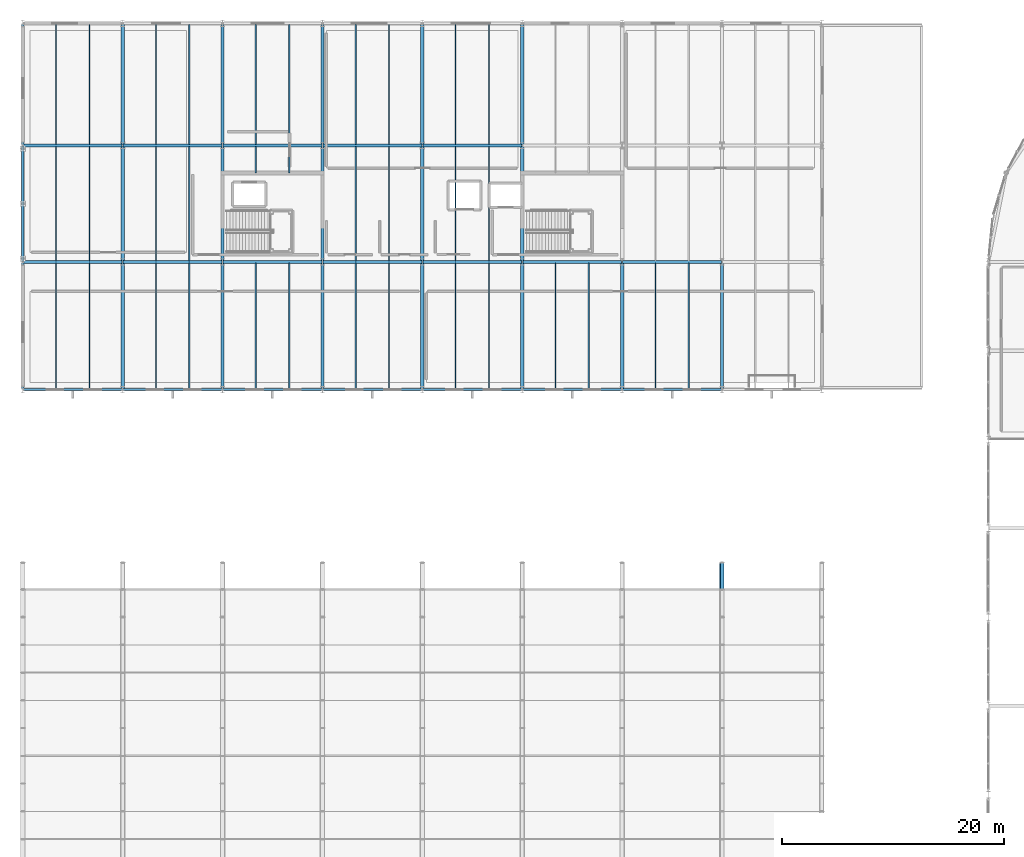
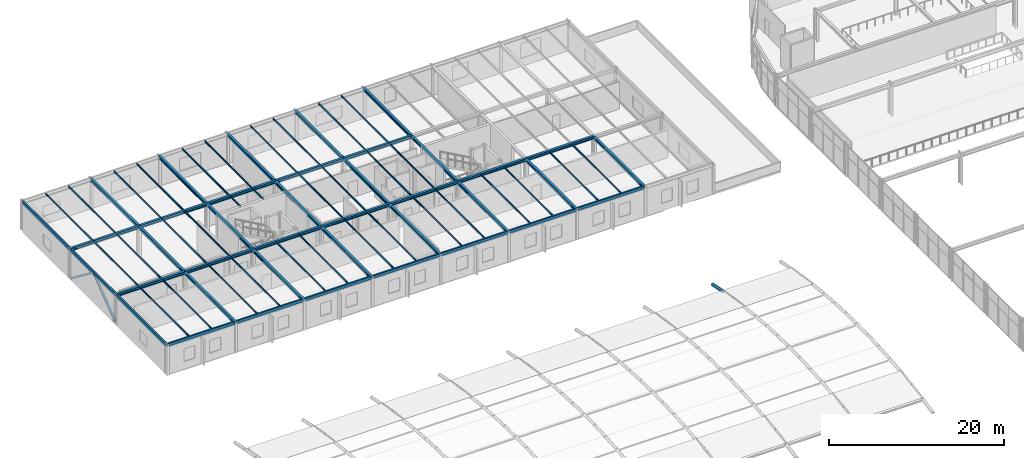
# One storey, part 26 of 105: 73 beams, 3 members.
"""IFC4 building model written with IfcOpenShell, lengths in metres."""

from ifc_helpers import new_model, si_unit, direction, frame, origin, origin_2d, place, context, subcontext, project, spatial, hollow_rectangle, hollow_circle, i_section, extrude, material, material_profile, profile_set, type_object, element, save


model = new_model("IFC4")

# Units and contexts
model_context = context("Model", 3, precision=1e-05, world=origin(), true_north=direction((0.0, 1.0)))
body_context = subcontext(model_context, "Body", "Model", "MODEL_VIEW")
ifc_project = project(units=[si_unit("LENGTHUNIT", "METRE"), si_unit("AREAUNIT", "SQUARE_METRE"), si_unit("VOLUMEUNIT", "CUBIC_METRE"), si_unit("PLANEANGLEUNIT", "RADIAN"), si_unit("MASSUNIT", "GRAM", prefix="KILO")], contexts=[model_context])

# Site, building, storey
site_placement = place(None, origin())
site = spatial("IfcSite", under=ifc_project, at=site_placement, CompositionType="ELEMENT")
building_placement = place(site_placement, origin())
building = spatial("IfcBuilding", under=site, at=building_placement, Name="Marlcrest Central Station", CompositionType="ELEMENT")
storey_placement = place(building_placement, frame((0.0, 0.0, 15.0)))
storey = spatial("IfcBuildingStorey", under=building, at=storey_placement, Name="L03", CompositionType="ELEMENT", Elevation=15.0)

# Members
ifc_material = material(Name="Steel S355", Category="steel")
ifc_material_profile_1 = material_profile(ifc_material, hollow_circle(Radius=0.203125, WallThickness=0.02001953125, at=origin_2d()), Name="CHS 406.4x20")
ifc_profile_set_1 = profile_set([ifc_material_profile_1], Name="Steel S355")
member_type_1 = type_object("IfcMemberType", Name="AC-01", PredefinedType="CHORD", material=ifc_profile_set_1)
member_placement = place(storey_placement, frame((63.0, 81.0, 0.40380859375), z_axis=(0.0, 0.980359417961, -0.197219196874), x_axis=(-1.0, 0.0, 0.0)))
element("IfcMember", 1, at=member_placement, inside=storey, type_object=member_type_1, Name="mem-AC-01-L03-00947", PredefinedType="CHORD", context=body_context, shape_type="SweptSolid", body=[
    extrude(hollow_circle(Radius=0.203125, WallThickness=0.02001953125, at=origin_2d()), origin(), (0.0, 0.0, 1.0), 2.468505859375),
])
ifc_material_profile_2 = material_profile(ifc_material, hollow_rectangle(XDim=0.25, YDim=0.25, WallThickness=0.012451171875, at=origin_2d()), Name="SHS 250x250x12.5")
ifc_profile_set_2 = profile_set([ifc_material_profile_2], Name="Steel S355")
member_type_2 = type_object("IfcMemberType", Name="BF-02", PredefinedType="BRACE", material=ifc_profile_set_2)
for number, where, z_axis, x_axis, name in (
    (2, (0.0, 110.800048828125, 0.25), (0.0, 0.794384522853, 0.607415203837), (-1.0, 0.0, 0.0), "mem-BF-02-L03-00007"),
    (3, (0.0, 120.699951171875, 0.25), (0.0, -0.794384522853, 0.607415203837), (1.0, 0.0, 0.0), "mem-BF-02-L03-00008"),
):
    element("IfcMember", number, at=place(storey_placement, frame(where, z_axis=z_axis, x_axis=x_axis)), inside=storey, type_object=member_type_2, Name=name, PredefinedType="BRACE", context=body_context, shape_type="SweptSolid", body=[
        extrude(hollow_rectangle(XDim=0.25, YDim=0.25, WallThickness=0.012451171875, at=origin_2d()), origin(), (0.0, 0.0, 1.0), 6.231201171875),
    ])

# Beams
ifc_material_profile_3 = material_profile(ifc_material, i_section(OverallWidth=0.300048828125, OverallDepth=0.389892578125, WebThickness=0.010986328125, FlangeThickness=0.01904296875, FilletRadius=0.027099609375, at=origin_2d()), Name="HEA 400")
ifc_profile_set_3 = profile_set([ifc_material_profile_3], Name="Steel S355")
beam_type_1 = type_object("IfcBeamType", Name="BM-08", PredefinedType="BEAM", material=ifc_profile_set_3)
for number, where, z_axis, x_axis, name in (
    (4, (0.050048828125, 110.5, 4.090087890625), (1.0, 0.0, 0.0), (0.0, 1.0, 0.0), "bm-BM-08-L03-00476"),
    (5, (9.050048828125, 110.5, 4.090087890625), (1.0, 0.0, 0.0), (0.0, 1.0, 0.0), "bm-BM-08-L03-00477"),
    (6, (18.050048828125, 110.5, 4.090087890625), (1.0, 0.0, 0.0), (0.0, 1.0, 0.0), "bm-BM-08-L03-00478"),
    (7, (27.050048828125, 110.5, 4.090087890625), (1.0, 0.0, 0.0), (0.0, 1.0, 0.0), "bm-BM-08-L03-00479"),
    (8, (36.050048828125, 110.5, 4.090087890625), (1.0, 0.0, 0.0), (0.0, 1.0, 0.0), "bm-BM-08-L03-00480"),
    (9, (45.050048828125, 110.5, 4.090087890625), (1.0, 0.0, 0.0), (0.0, 1.0, 0.0), "bm-BM-08-L03-00481"),
    (10, (54.050048828125, 110.5, 4.090087890625), (1.0, 0.0, 0.0), (0.0, 1.0, 0.0), "bm-BM-08-L03-00482"),
    (11, (0.050048828125, 121.0, 4.090087890625), (1.0, 0.0, 0.0), (0.0, 1.0, 0.0), "bm-BM-08-L03-00484"),
    (12, (9.050048828125, 121.0, 4.090087890625), (1.0, 0.0, 0.0), (0.0, 1.0, 0.0), "bm-BM-08-L03-00485"),
    (13, (18.050048828125, 121.0, 4.090087890625), (1.0, 0.0, 0.0), (0.0, 1.0, 0.0), "bm-BM-08-L03-00486"),
    (14, (27.050048828125, 121.0, 4.090087890625), (1.0, 0.0, 0.0), (0.0, 1.0, 0.0), "bm-BM-08-L03-00487"),
    (15, (36.050048828125, 121.0, 4.090087890625), (1.0, 0.0, 0.0), (0.0, 1.0, 0.0), "bm-BM-08-L03-00488"),
):
    element("IfcBeam", number, at=place(storey_placement, frame(where, z_axis=z_axis, x_axis=x_axis)), inside=storey, type_object=beam_type_1, Name=name, PredefinedType="BEAM", context=body_context, shape_type="SweptSolid", body=[
        extrude(i_section(OverallWidth=0.300048828125, OverallDepth=0.389892578125, WebThickness=0.010986328125, FlangeThickness=0.01904296875, FilletRadius=0.027099609375, at=origin_2d()), origin(), (0.0, 0.0, 1.0), 8.89990234375),
    ])
beam_1_placement = place(storey_placement, frame((9.0, 99.050048828125, 4.090087890625), z_axis=(0.0, 1.0, 0.0), x_axis=(-1.0, 0.0, 0.0)))
element("IfcBeam", 16, at=beam_1_placement, inside=storey, type_object=beam_type_1, Name="bm-BM-08-L03-00503", PredefinedType="BEAM", context=body_context, shape_type="SweptSolid", body=[
    extrude(i_section(OverallWidth=0.300048828125, OverallDepth=0.389892578125, WebThickness=0.010986328125, FlangeThickness=0.01904296875, FilletRadius=0.027099609375, at=origin_2d()), origin(), (0.0, 0.0, 1.0), 11.39990234375),
])
beam_2_placement = place(storey_placement, frame((9.0, 110.550048828125, 4.090087890625), z_axis=(0.0, 1.0, 0.0), x_axis=(-1.0, 0.0, 0.0)))
element("IfcBeam", 17, at=beam_2_placement, inside=storey, type_object=beam_type_1, Name="bm-BM-08-L03-00504", PredefinedType="BEAM", context=body_context, shape_type="SweptSolid", body=[
    extrude(i_section(OverallWidth=0.300048828125, OverallDepth=0.389892578125, WebThickness=0.010986328125, FlangeThickness=0.01904296875, FilletRadius=0.027099609375, at=origin_2d()), origin(), (0.0, 0.0, 1.0), 10.39990234375),
])
beam_3_placement = place(storey_placement, frame((9.0, 121.050048828125, 4.090087890625), z_axis=(0.0, 1.0, 0.0), x_axis=(-1.0, 0.0, 0.0)))
element("IfcBeam", 18, at=beam_3_placement, inside=storey, type_object=beam_type_1, Name="bm-BM-08-L03-00505", PredefinedType="BEAM", context=body_context, shape_type="SweptSolid", body=[
    extrude(i_section(OverallWidth=0.300048828125, OverallDepth=0.389892578125, WebThickness=0.010986328125, FlangeThickness=0.01904296875, FilletRadius=0.027099609375, at=origin_2d()), origin(), (0.0, 0.0, 1.0), 10.89990234375),
])
beam_4_placement = place(storey_placement, frame((18.0, 99.050048828125, 4.090087890625), z_axis=(0.0, 1.0, 0.0), x_axis=(-1.0, 0.0, 0.0)))
element("IfcBeam", 19, at=beam_4_placement, inside=storey, type_object=beam_type_1, Name="bm-BM-08-L03-00506", PredefinedType="BEAM", context=body_context, shape_type="SweptSolid", body=[
    extrude(i_section(OverallWidth=0.300048828125, OverallDepth=0.389892578125, WebThickness=0.010986328125, FlangeThickness=0.01904296875, FilletRadius=0.027099609375, at=origin_2d()), origin(), (0.0, 0.0, 1.0), 11.39990234375),
])
beam_5_placement = place(storey_placement, frame((18.0, 110.550048828125, 4.090087890625), z_axis=(0.0, 1.0, 0.0), x_axis=(-1.0, 0.0, 0.0)))
element("IfcBeam", 20, at=beam_5_placement, inside=storey, type_object=beam_type_1, Name="bm-BM-08-L03-00507", PredefinedType="BEAM", context=body_context, shape_type="SweptSolid", body=[
    extrude(i_section(OverallWidth=0.300048828125, OverallDepth=0.389892578125, WebThickness=0.010986328125, FlangeThickness=0.01904296875, FilletRadius=0.027099609375, at=origin_2d()), origin(), (0.0, 0.0, 1.0), 10.39990234375),
])
beam_6_placement = place(storey_placement, frame((18.0, 121.050048828125, 4.090087890625), z_axis=(0.0, 1.0, 0.0), x_axis=(-1.0, 0.0, 0.0)))
element("IfcBeam", 21, at=beam_6_placement, inside=storey, type_object=beam_type_1, Name="bm-BM-08-L03-00508", PredefinedType="BEAM", context=body_context, shape_type="SweptSolid", body=[
    extrude(i_section(OverallWidth=0.300048828125, OverallDepth=0.389892578125, WebThickness=0.010986328125, FlangeThickness=0.01904296875, FilletRadius=0.027099609375, at=origin_2d()), origin(), (0.0, 0.0, 1.0), 10.89990234375),
])
beam_7_placement = place(storey_placement, frame((27.0, 99.050048828125, 4.090087890625), z_axis=(0.0, 1.0, 0.0), x_axis=(-1.0, 0.0, 0.0)))
element("IfcBeam", 22, at=beam_7_placement, inside=storey, type_object=beam_type_1, Name="bm-BM-08-L03-00509", PredefinedType="BEAM", context=body_context, shape_type="SweptSolid", body=[
    extrude(i_section(OverallWidth=0.300048828125, OverallDepth=0.389892578125, WebThickness=0.010986328125, FlangeThickness=0.01904296875, FilletRadius=0.027099609375, at=origin_2d()), origin(), (0.0, 0.0, 1.0), 11.39990234375),
])
beam_8_placement = place(storey_placement, frame((27.0, 110.550048828125, 4.090087890625), z_axis=(0.0, 1.0, 0.0), x_axis=(-1.0, 0.0, 0.0)))
element("IfcBeam", 23, at=beam_8_placement, inside=storey, type_object=beam_type_1, Name="bm-BM-08-L03-00510", PredefinedType="BEAM", context=body_context, shape_type="SweptSolid", body=[
    extrude(i_section(OverallWidth=0.300048828125, OverallDepth=0.389892578125, WebThickness=0.010986328125, FlangeThickness=0.01904296875, FilletRadius=0.027099609375, at=origin_2d()), origin(), (0.0, 0.0, 1.0), 10.39990234375),
])
beam_9_placement = place(storey_placement, frame((27.0, 121.050048828125, 4.090087890625), z_axis=(0.0, 1.0, 0.0), x_axis=(-1.0, 0.0, 0.0)))
element("IfcBeam", 24, at=beam_9_placement, inside=storey, type_object=beam_type_1, Name="bm-BM-08-L03-00511", PredefinedType="BEAM", context=body_context, shape_type="SweptSolid", body=[
    extrude(i_section(OverallWidth=0.300048828125, OverallDepth=0.389892578125, WebThickness=0.010986328125, FlangeThickness=0.01904296875, FilletRadius=0.027099609375, at=origin_2d()), origin(), (0.0, 0.0, 1.0), 10.89990234375),
])
beam_10_placement = place(storey_placement, frame((36.0, 99.050048828125, 4.090087890625), z_axis=(0.0, 1.0, 0.0), x_axis=(-1.0, 0.0, 0.0)))
element("IfcBeam", 25, at=beam_10_placement, inside=storey, type_object=beam_type_1, Name="bm-BM-08-L03-00512", PredefinedType="BEAM", context=body_context, shape_type="SweptSolid", body=[
    extrude(i_section(OverallWidth=0.300048828125, OverallDepth=0.389892578125, WebThickness=0.010986328125, FlangeThickness=0.01904296875, FilletRadius=0.027099609375, at=origin_2d()), origin(), (0.0, 0.0, 1.0), 11.39990234375),
])
beam_11_placement = place(storey_placement, frame((36.0, 110.550048828125, 4.090087890625), z_axis=(0.0, 1.0, 0.0), x_axis=(-1.0, 0.0, 0.0)))
element("IfcBeam", 26, at=beam_11_placement, inside=storey, type_object=beam_type_1, Name="bm-BM-08-L03-00513", PredefinedType="BEAM", context=body_context, shape_type="SweptSolid", body=[
    extrude(i_section(OverallWidth=0.300048828125, OverallDepth=0.389892578125, WebThickness=0.010986328125, FlangeThickness=0.01904296875, FilletRadius=0.027099609375, at=origin_2d()), origin(), (0.0, 0.0, 1.0), 10.39990234375),
])
beam_12_placement = place(storey_placement, frame((36.0, 121.050048828125, 4.090087890625), z_axis=(0.0, 1.0, 0.0), x_axis=(-1.0, 0.0, 0.0)))
element("IfcBeam", 27, at=beam_12_placement, inside=storey, type_object=beam_type_1, Name="bm-BM-08-L03-00514", PredefinedType="BEAM", context=body_context, shape_type="SweptSolid", body=[
    extrude(i_section(OverallWidth=0.300048828125, OverallDepth=0.389892578125, WebThickness=0.010986328125, FlangeThickness=0.01904296875, FilletRadius=0.027099609375, at=origin_2d()), origin(), (0.0, 0.0, 1.0), 10.89990234375),
])
beam_13_placement = place(storey_placement, frame((45.0, 99.050048828125, 4.090087890625), z_axis=(0.0, 1.0, 0.0), x_axis=(-1.0, 0.0, 0.0)))
element("IfcBeam", 28, at=beam_13_placement, inside=storey, type_object=beam_type_1, Name="bm-BM-08-L03-00515", PredefinedType="BEAM", context=body_context, shape_type="SweptSolid", body=[
    extrude(i_section(OverallWidth=0.300048828125, OverallDepth=0.389892578125, WebThickness=0.010986328125, FlangeThickness=0.01904296875, FilletRadius=0.027099609375, at=origin_2d()), origin(), (0.0, 0.0, 1.0), 11.39990234375),
])
beam_14_placement = place(storey_placement, frame((45.0, 110.550048828125, 4.090087890625), z_axis=(0.0, 1.0, 0.0), x_axis=(-1.0, 0.0, 0.0)))
element("IfcBeam", 29, at=beam_14_placement, inside=storey, type_object=beam_type_1, Name="bm-BM-08-L03-00516", PredefinedType="BEAM", context=body_context, shape_type="SweptSolid", body=[
    extrude(i_section(OverallWidth=0.300048828125, OverallDepth=0.389892578125, WebThickness=0.010986328125, FlangeThickness=0.01904296875, FilletRadius=0.027099609375, at=origin_2d()), origin(), (0.0, 0.0, 1.0), 10.39990234375),
])
beam_15_placement = place(storey_placement, frame((45.0, 121.050048828125, 4.090087890625), z_axis=(0.0, 1.0, 0.0), x_axis=(-1.0, 0.0, 0.0)))
element("IfcBeam", 30, at=beam_15_placement, inside=storey, type_object=beam_type_1, Name="bm-BM-08-L03-00517", PredefinedType="BEAM", context=body_context, shape_type="SweptSolid", body=[
    extrude(i_section(OverallWidth=0.300048828125, OverallDepth=0.389892578125, WebThickness=0.010986328125, FlangeThickness=0.01904296875, FilletRadius=0.027099609375, at=origin_2d()), origin(), (0.0, 0.0, 1.0), 10.89990234375),
])
for number, where, z_axis, x_axis, name in (
    (31, (54.0, 99.050048828125, 4.090087890625), (0.0, 1.0, 0.0), (-1.0, 0.0, 0.0), "bm-BM-08-L03-00518"),
    (32, (63.0, 99.050048828125, 4.0400390625), (0.0, 1.0, 0.0), (-1.0, 0.0, 0.0), "bm-BM-08-L03-00521"),
):
    element("IfcBeam", number, at=place(storey_placement, frame(where, z_axis=z_axis, x_axis=x_axis)), inside=storey, type_object=beam_type_1, Name=name, PredefinedType="BEAM", context=body_context, shape_type="SweptSolid", body=[
        extrude(i_section(OverallWidth=0.300048828125, OverallDepth=0.389892578125, WebThickness=0.010986328125, FlangeThickness=0.01904296875, FilletRadius=0.027099609375, at=origin_2d()), origin(), (0.0, 0.0, 1.0), 11.39990234375),
    ])
ifc_material_profile_4 = material_profile(ifc_material, i_section(OverallWidth=0.110107421875, OverallDepth=0.219970703125, WebThickness=0.005859375, FlangeThickness=0.00927734375, FilletRadius=0.011962890625, at=origin_2d()), Name="IPE 220")
ifc_profile_set_4 = profile_set([ifc_material_profile_4], Name="Steel S355")
beam_type_2 = type_object("IfcBeamType", Name="JS-02", PredefinedType="JOIST", material=ifc_profile_set_4)
beam_16_placement = place(storey_placement, frame((3.0, 99.094970703125, 4.175048828125), z_axis=(0.0, 1.0, 0.0), x_axis=(-1.0, 0.0, 0.0)))
element("IfcBeam", 33, at=beam_16_placement, inside=storey, type_object=beam_type_2, Name="bm-JS-02-L03-00527", PredefinedType="JOIST", context=body_context, shape_type="SweptSolid", body=[
    extrude(i_section(OverallWidth=0.110107421875, OverallDepth=0.219970703125, WebThickness=0.005859375, FlangeThickness=0.00927734375, FilletRadius=0.011962890625, at=origin_2d()), origin(), (0.0, 0.0, 1.0), 11.31005859375),
])
beam_17_placement = place(storey_placement, frame((3.0, 110.594970703125, 4.175048828125), z_axis=(0.0, 1.0, 0.0), x_axis=(-1.0, 0.0, 0.0)))
element("IfcBeam", 34, at=beam_17_placement, inside=storey, type_object=beam_type_2, Name="bm-JS-02-L03-00528", PredefinedType="JOIST", context=body_context, shape_type="SweptSolid", body=[
    extrude(i_section(OverallWidth=0.110107421875, OverallDepth=0.219970703125, WebThickness=0.005859375, FlangeThickness=0.00927734375, FilletRadius=0.011962890625, at=origin_2d()), origin(), (0.0, 0.0, 1.0), 10.31005859375),
])
beam_18_placement = place(storey_placement, frame((3.0, 121.094970703125, 4.175048828125), z_axis=(0.0, 1.0, 0.0), x_axis=(-1.0, 0.0, 0.0)))
element("IfcBeam", 35, at=beam_18_placement, inside=storey, type_object=beam_type_2, Name="bm-JS-02-L03-00529", PredefinedType="JOIST", context=body_context, shape_type="SweptSolid", body=[
    extrude(i_section(OverallWidth=0.110107421875, OverallDepth=0.219970703125, WebThickness=0.005859375, FlangeThickness=0.00927734375, FilletRadius=0.011962890625, at=origin_2d()), origin(), (0.0, 0.0, 1.0), 10.81005859375),
])
beam_19_placement = place(storey_placement, frame((6.0, 99.094970703125, 4.175048828125), z_axis=(0.0, 1.0, 0.0), x_axis=(-1.0, 0.0, 0.0)))
element("IfcBeam", 36, at=beam_19_placement, inside=storey, type_object=beam_type_2, Name="bm-JS-02-L03-00530", PredefinedType="JOIST", context=body_context, shape_type="SweptSolid", body=[
    extrude(i_section(OverallWidth=0.110107421875, OverallDepth=0.219970703125, WebThickness=0.005859375, FlangeThickness=0.00927734375, FilletRadius=0.011962890625, at=origin_2d()), origin(), (0.0, 0.0, 1.0), 11.31005859375),
])
beam_20_placement = place(storey_placement, frame((6.0, 110.594970703125, 4.175048828125), z_axis=(0.0, 1.0, 0.0), x_axis=(-1.0, 0.0, 0.0)))
element("IfcBeam", 37, at=beam_20_placement, inside=storey, type_object=beam_type_2, Name="bm-JS-02-L03-00531", PredefinedType="JOIST", context=body_context, shape_type="SweptSolid", body=[
    extrude(i_section(OverallWidth=0.110107421875, OverallDepth=0.219970703125, WebThickness=0.005859375, FlangeThickness=0.00927734375, FilletRadius=0.011962890625, at=origin_2d()), origin(), (0.0, 0.0, 1.0), 10.31005859375),
])
beam_21_placement = place(storey_placement, frame((6.0, 121.094970703125, 4.175048828125), z_axis=(0.0, 1.0, 0.0), x_axis=(-1.0, 0.0, 0.0)))
element("IfcBeam", 38, at=beam_21_placement, inside=storey, type_object=beam_type_2, Name="bm-JS-02-L03-00532", PredefinedType="JOIST", context=body_context, shape_type="SweptSolid", body=[
    extrude(i_section(OverallWidth=0.110107421875, OverallDepth=0.219970703125, WebThickness=0.005859375, FlangeThickness=0.00927734375, FilletRadius=0.011962890625, at=origin_2d()), origin(), (0.0, 0.0, 1.0), 10.81005859375),
])
beam_22_placement = place(storey_placement, frame((12.0, 99.094970703125, 4.175048828125), z_axis=(0.0, 1.0, 0.0), x_axis=(-1.0, 0.0, 0.0)))
element("IfcBeam", 39, at=beam_22_placement, inside=storey, type_object=beam_type_2, Name="bm-JS-02-L03-00533", PredefinedType="JOIST", context=body_context, shape_type="SweptSolid", body=[
    extrude(i_section(OverallWidth=0.110107421875, OverallDepth=0.219970703125, WebThickness=0.005859375, FlangeThickness=0.00927734375, FilletRadius=0.011962890625, at=origin_2d()), origin(), (0.0, 0.0, 1.0), 11.31005859375),
])
beam_23_placement = place(storey_placement, frame((12.0, 110.594970703125, 4.175048828125), z_axis=(0.0, 1.0, 0.0), x_axis=(-1.0, 0.0, 0.0)))
element("IfcBeam", 40, at=beam_23_placement, inside=storey, type_object=beam_type_2, Name="bm-JS-02-L03-00534", PredefinedType="JOIST", context=body_context, shape_type="SweptSolid", body=[
    extrude(i_section(OverallWidth=0.110107421875, OverallDepth=0.219970703125, WebThickness=0.005859375, FlangeThickness=0.00927734375, FilletRadius=0.011962890625, at=origin_2d()), origin(), (0.0, 0.0, 1.0), 10.31005859375),
])
beam_24_placement = place(storey_placement, frame((12.0, 121.094970703125, 4.175048828125), z_axis=(0.0, 1.0, 0.0), x_axis=(-1.0, 0.0, 0.0)))
element("IfcBeam", 41, at=beam_24_placement, inside=storey, type_object=beam_type_2, Name="bm-JS-02-L03-00535", PredefinedType="JOIST", context=body_context, shape_type="SweptSolid", body=[
    extrude(i_section(OverallWidth=0.110107421875, OverallDepth=0.219970703125, WebThickness=0.005859375, FlangeThickness=0.00927734375, FilletRadius=0.011962890625, at=origin_2d()), origin(), (0.0, 0.0, 1.0), 10.81005859375),
])
beam_25_placement = place(storey_placement, frame((15.0, 99.094970703125, 4.175048828125), z_axis=(0.0, 1.0, 0.0), x_axis=(-1.0, 0.0, 0.0)))
element("IfcBeam", 42, at=beam_25_placement, inside=storey, type_object=beam_type_2, Name="bm-JS-02-L03-00536", PredefinedType="JOIST", context=body_context, shape_type="SweptSolid", body=[
    extrude(i_section(OverallWidth=0.110107421875, OverallDepth=0.219970703125, WebThickness=0.005859375, FlangeThickness=0.00927734375, FilletRadius=0.011962890625, at=origin_2d()), origin(), (0.0, 0.0, 1.0), 11.31005859375),
])
beam_26_placement = place(storey_placement, frame((15.0, 110.594970703125, 4.175048828125), z_axis=(0.0, 1.0, 0.0), x_axis=(-1.0, 0.0, 0.0)))
element("IfcBeam", 43, at=beam_26_placement, inside=storey, type_object=beam_type_2, Name="bm-JS-02-L03-00537", PredefinedType="JOIST", context=body_context, shape_type="SweptSolid", body=[
    extrude(i_section(OverallWidth=0.110107421875, OverallDepth=0.219970703125, WebThickness=0.005859375, FlangeThickness=0.00927734375, FilletRadius=0.011962890625, at=origin_2d()), origin(), (0.0, 0.0, 1.0), 10.31005859375),
])
beam_27_placement = place(storey_placement, frame((15.0, 121.094970703125, 4.175048828125), z_axis=(0.0, 1.0, 0.0), x_axis=(-1.0, 0.0, 0.0)))
element("IfcBeam", 44, at=beam_27_placement, inside=storey, type_object=beam_type_2, Name="bm-JS-02-L03-00538", PredefinedType="JOIST", context=body_context, shape_type="SweptSolid", body=[
    extrude(i_section(OverallWidth=0.110107421875, OverallDepth=0.219970703125, WebThickness=0.005859375, FlangeThickness=0.00927734375, FilletRadius=0.011962890625, at=origin_2d()), origin(), (0.0, 0.0, 1.0), 10.81005859375),
])
beam_28_placement = place(storey_placement, frame((21.0, 99.094970703125, 4.175048828125), z_axis=(0.0, 1.0, 0.0), x_axis=(-1.0, 0.0, 0.0)))
element("IfcBeam", 45, at=beam_28_placement, inside=storey, type_object=beam_type_2, Name="bm-JS-02-L03-00539", PredefinedType="JOIST", context=body_context, shape_type="SweptSolid", body=[
    extrude(i_section(OverallWidth=0.110107421875, OverallDepth=0.219970703125, WebThickness=0.005859375, FlangeThickness=0.00927734375, FilletRadius=0.011962890625, at=origin_2d()), origin(), (0.0, 0.0, 1.0), 11.31005859375),
])
beam_29_placement = place(storey_placement, frame((21.0, 118.52001953125, 4.175048828125), z_axis=(0.0, 1.0, 0.0), x_axis=(-1.0, 0.0, 0.0)))
element("IfcBeam", 46, at=beam_29_placement, inside=storey, type_object=beam_type_2, Name="bm-JS-02-L03-00540", PredefinedType="JOIST", context=body_context, shape_type="SweptSolid", body=[
    extrude(i_section(OverallWidth=0.110107421875, OverallDepth=0.219970703125, WebThickness=0.005859375, FlangeThickness=0.00927734375, FilletRadius=0.011962890625, at=origin_2d()), origin(), (0.0, 0.0, 1.0), 2.385009765625),
])
beam_30_placement = place(storey_placement, frame((21.0, 121.094970703125, 4.175048828125), z_axis=(0.0, 1.0, 0.0), x_axis=(-1.0, 0.0, 0.0)))
element("IfcBeam", 47, at=beam_30_placement, inside=storey, type_object=beam_type_2, Name="bm-JS-02-L03-00541", PredefinedType="JOIST", context=body_context, shape_type="SweptSolid", body=[
    extrude(i_section(OverallWidth=0.110107421875, OverallDepth=0.219970703125, WebThickness=0.005859375, FlangeThickness=0.00927734375, FilletRadius=0.011962890625, at=origin_2d()), origin(), (0.0, 0.0, 1.0), 10.81005859375),
])
beam_31_placement = place(storey_placement, frame((24.0, 99.094970703125, 4.175048828125), z_axis=(0.0, 1.0, 0.0), x_axis=(-1.0, 0.0, 0.0)))
element("IfcBeam", 48, at=beam_31_placement, inside=storey, type_object=beam_type_2, Name="bm-JS-02-L03-00542", PredefinedType="JOIST", context=body_context, shape_type="SweptSolid", body=[
    extrude(i_section(OverallWidth=0.110107421875, OverallDepth=0.219970703125, WebThickness=0.005859375, FlangeThickness=0.00927734375, FilletRadius=0.011962890625, at=origin_2d()), origin(), (0.0, 0.0, 1.0), 11.31005859375),
])
beam_32_placement = place(storey_placement, frame((24.0, 118.52001953125, 4.175048828125), z_axis=(0.0, 1.0, 0.0), x_axis=(-1.0, 0.0, 0.0)))
element("IfcBeam", 49, at=beam_32_placement, inside=storey, type_object=beam_type_2, Name="bm-JS-02-L03-00543", PredefinedType="JOIST", context=body_context, shape_type="SweptSolid", body=[
    extrude(i_section(OverallWidth=0.110107421875, OverallDepth=0.219970703125, WebThickness=0.005859375, FlangeThickness=0.00927734375, FilletRadius=0.011962890625, at=origin_2d()), origin(), (0.0, 0.0, 1.0), 2.385009765625),
])
beam_33_placement = place(storey_placement, frame((24.0, 121.094970703125, 4.175048828125), z_axis=(0.0, 1.0, 0.0), x_axis=(-1.0, 0.0, 0.0)))
element("IfcBeam", 50, at=beam_33_placement, inside=storey, type_object=beam_type_2, Name="bm-JS-02-L03-00544", PredefinedType="JOIST", context=body_context, shape_type="SweptSolid", body=[
    extrude(i_section(OverallWidth=0.110107421875, OverallDepth=0.219970703125, WebThickness=0.005859375, FlangeThickness=0.00927734375, FilletRadius=0.011962890625, at=origin_2d()), origin(), (0.0, 0.0, 1.0), 10.81005859375),
])
beam_34_placement = place(storey_placement, frame((30.0, 99.094970703125, 4.175048828125), z_axis=(0.0, 1.0, 0.0), x_axis=(-1.0, 0.0, 0.0)))
element("IfcBeam", 51, at=beam_34_placement, inside=storey, type_object=beam_type_2, Name="bm-JS-02-L03-00545", PredefinedType="JOIST", context=body_context, shape_type="SweptSolid", body=[
    extrude(i_section(OverallWidth=0.110107421875, OverallDepth=0.219970703125, WebThickness=0.005859375, FlangeThickness=0.00927734375, FilletRadius=0.011962890625, at=origin_2d()), origin(), (0.0, 0.0, 1.0), 11.31005859375),
])
beam_35_placement = place(storey_placement, frame((30.0, 110.594970703125, 4.175048828125), z_axis=(0.0, 1.0, 0.0), x_axis=(-1.0, 0.0, 0.0)))
element("IfcBeam", 52, at=beam_35_placement, inside=storey, type_object=beam_type_2, Name="bm-JS-02-L03-00546", PredefinedType="JOIST", context=body_context, shape_type="SweptSolid", body=[
    extrude(i_section(OverallWidth=0.110107421875, OverallDepth=0.219970703125, WebThickness=0.005859375, FlangeThickness=0.00927734375, FilletRadius=0.011962890625, at=origin_2d()), origin(), (0.0, 0.0, 1.0), 10.31005859375),
])
beam_36_placement = place(storey_placement, frame((30.0, 121.094970703125, 4.175048828125), z_axis=(0.0, 1.0, 0.0), x_axis=(-1.0, 0.0, 0.0)))
element("IfcBeam", 53, at=beam_36_placement, inside=storey, type_object=beam_type_2, Name="bm-JS-02-L03-00547", PredefinedType="JOIST", context=body_context, shape_type="SweptSolid", body=[
    extrude(i_section(OverallWidth=0.110107421875, OverallDepth=0.219970703125, WebThickness=0.005859375, FlangeThickness=0.00927734375, FilletRadius=0.011962890625, at=origin_2d()), origin(), (0.0, 0.0, 1.0), 10.81005859375),
])
beam_37_placement = place(storey_placement, frame((33.0, 99.094970703125, 4.175048828125), z_axis=(0.0, 1.0, 0.0), x_axis=(-1.0, 0.0, 0.0)))
element("IfcBeam", 54, at=beam_37_placement, inside=storey, type_object=beam_type_2, Name="bm-JS-02-L03-00548", PredefinedType="JOIST", context=body_context, shape_type="SweptSolid", body=[
    extrude(i_section(OverallWidth=0.110107421875, OverallDepth=0.219970703125, WebThickness=0.005859375, FlangeThickness=0.00927734375, FilletRadius=0.011962890625, at=origin_2d()), origin(), (0.0, 0.0, 1.0), 11.31005859375),
])
beam_38_placement = place(storey_placement, frame((33.0, 110.594970703125, 4.175048828125), z_axis=(0.0, 1.0, 0.0), x_axis=(-1.0, 0.0, 0.0)))
element("IfcBeam", 55, at=beam_38_placement, inside=storey, type_object=beam_type_2, Name="bm-JS-02-L03-00549", PredefinedType="JOIST", context=body_context, shape_type="SweptSolid", body=[
    extrude(i_section(OverallWidth=0.110107421875, OverallDepth=0.219970703125, WebThickness=0.005859375, FlangeThickness=0.00927734375, FilletRadius=0.011962890625, at=origin_2d()), origin(), (0.0, 0.0, 1.0), 10.31005859375),
])
beam_39_placement = place(storey_placement, frame((33.0, 121.094970703125, 4.175048828125), z_axis=(0.0, 1.0, 0.0), x_axis=(-1.0, 0.0, 0.0)))
element("IfcBeam", 56, at=beam_39_placement, inside=storey, type_object=beam_type_2, Name="bm-JS-02-L03-00550", PredefinedType="JOIST", context=body_context, shape_type="SweptSolid", body=[
    extrude(i_section(OverallWidth=0.110107421875, OverallDepth=0.219970703125, WebThickness=0.005859375, FlangeThickness=0.00927734375, FilletRadius=0.011962890625, at=origin_2d()), origin(), (0.0, 0.0, 1.0), 10.81005859375),
])
beam_40_placement = place(storey_placement, frame((39.0, 99.094970703125, 4.175048828125), z_axis=(0.0, 1.0, 0.0), x_axis=(-1.0, 0.0, 0.0)))
element("IfcBeam", 57, at=beam_40_placement, inside=storey, type_object=beam_type_2, Name="bm-JS-02-L03-00551", PredefinedType="JOIST", context=body_context, shape_type="SweptSolid", body=[
    extrude(i_section(OverallWidth=0.110107421875, OverallDepth=0.219970703125, WebThickness=0.005859375, FlangeThickness=0.00927734375, FilletRadius=0.011962890625, at=origin_2d()), origin(), (0.0, 0.0, 1.0), 11.31005859375),
])
beam_41_placement = place(storey_placement, frame((39.0, 110.594970703125, 4.175048828125), z_axis=(0.0, 1.0, 0.0), x_axis=(-1.0, 0.0, 0.0)))
element("IfcBeam", 58, at=beam_41_placement, inside=storey, type_object=beam_type_2, Name="bm-JS-02-L03-00552", PredefinedType="JOIST", context=body_context, shape_type="SweptSolid", body=[
    extrude(i_section(OverallWidth=0.110107421875, OverallDepth=0.219970703125, WebThickness=0.005859375, FlangeThickness=0.00927734375, FilletRadius=0.011962890625, at=origin_2d()), origin(), (0.0, 0.0, 1.0), 10.31005859375),
])
beam_42_placement = place(storey_placement, frame((39.0, 121.094970703125, 4.175048828125), z_axis=(0.0, 1.0, 0.0), x_axis=(-1.0, 0.0, 0.0)))
element("IfcBeam", 59, at=beam_42_placement, inside=storey, type_object=beam_type_2, Name="bm-JS-02-L03-00553", PredefinedType="JOIST", context=body_context, shape_type="SweptSolid", body=[
    extrude(i_section(OverallWidth=0.110107421875, OverallDepth=0.219970703125, WebThickness=0.005859375, FlangeThickness=0.00927734375, FilletRadius=0.011962890625, at=origin_2d()), origin(), (0.0, 0.0, 1.0), 10.81005859375),
])
beam_43_placement = place(storey_placement, frame((42.0, 99.094970703125, 4.175048828125), z_axis=(0.0, 1.0, 0.0), x_axis=(-1.0, 0.0, 0.0)))
element("IfcBeam", 60, at=beam_43_placement, inside=storey, type_object=beam_type_2, Name="bm-JS-02-L03-00554", PredefinedType="JOIST", context=body_context, shape_type="SweptSolid", body=[
    extrude(i_section(OverallWidth=0.110107421875, OverallDepth=0.219970703125, WebThickness=0.005859375, FlangeThickness=0.00927734375, FilletRadius=0.011962890625, at=origin_2d()), origin(), (0.0, 0.0, 1.0), 11.31005859375),
])
beam_44_placement = place(storey_placement, frame((42.0, 110.594970703125, 4.175048828125), z_axis=(0.0, 1.0, 0.0), x_axis=(-1.0, 0.0, 0.0)))
element("IfcBeam", 61, at=beam_44_placement, inside=storey, type_object=beam_type_2, Name="bm-JS-02-L03-00555", PredefinedType="JOIST", context=body_context, shape_type="SweptSolid", body=[
    extrude(i_section(OverallWidth=0.110107421875, OverallDepth=0.219970703125, WebThickness=0.005859375, FlangeThickness=0.00927734375, FilletRadius=0.011962890625, at=origin_2d()), origin(), (0.0, 0.0, 1.0), 10.31005859375),
])
beam_45_placement = place(storey_placement, frame((42.0, 121.094970703125, 4.175048828125), z_axis=(0.0, 1.0, 0.0), x_axis=(-1.0, 0.0, 0.0)))
element("IfcBeam", 62, at=beam_45_placement, inside=storey, type_object=beam_type_2, Name="bm-JS-02-L03-00556", PredefinedType="JOIST", context=body_context, shape_type="SweptSolid", body=[
    extrude(i_section(OverallWidth=0.110107421875, OverallDepth=0.219970703125, WebThickness=0.005859375, FlangeThickness=0.00927734375, FilletRadius=0.011962890625, at=origin_2d()), origin(), (0.0, 0.0, 1.0), 10.81005859375),
])
for number, where, z_axis, x_axis, name in (
    (63, (48.0, 99.094970703125, 4.175048828125), (0.0, 1.0, 0.0), (-1.0, 0.0, 0.0), "bm-JS-02-L03-00557"),
    (64, (51.0, 99.094970703125, 4.175048828125), (0.0, 1.0, 0.0), (-1.0, 0.0, 0.0), "bm-JS-02-L03-00560"),
    (65, (57.0, 99.094970703125, 4.175048828125), (0.0, 1.0, 0.0), (-1.0, 0.0, 0.0), "bm-JS-02-L03-00563"),
    (66, (60.0, 99.094970703125, 4.175048828125), (0.0, 1.0, 0.0), (-1.0, 0.0, 0.0), "bm-JS-02-L03-00566"),
):
    element("IfcBeam", number, at=place(storey_placement, frame(where, z_axis=z_axis, x_axis=x_axis)), inside=storey, type_object=beam_type_2, Name=name, PredefinedType="JOIST", context=body_context, shape_type="SweptSolid", body=[
        extrude(i_section(OverallWidth=0.110107421875, OverallDepth=0.219970703125, WebThickness=0.005859375, FlangeThickness=0.00927734375, FilletRadius=0.011962890625, at=origin_2d()), origin(), (0.0, 0.0, 1.0), 11.31005859375),
    ])
ifc_material_profile_5 = material_profile(ifc_material, hollow_rectangle(XDim=0.199951171875, YDim=0.39990234375, WallThickness=0.01611328125, at=origin_2d()), Name="RHS 400x200x16")
ifc_profile_set_5 = profile_set([ifc_material_profile_5], Name="Steel S355")
beam_type_3 = type_object("IfcBeamType", Name="SP-01", PredefinedType="SPANDREL", material=ifc_profile_set_5)
for number, where, z_axis, x_axis, name in (
    (67, (0.050048828125, 99.0, 4.0849609375), (1.0, 0.0, 0.0), (0.0, 1.0, 0.0), "bm-SP-01-L03-00468"),
    (68, (9.050048828125, 99.0, 4.0849609375), (1.0, 0.0, 0.0), (0.0, 1.0, 0.0), "bm-SP-01-L03-00469"),
    (69, (18.050048828125, 99.0, 4.0849609375), (1.0, 0.0, 0.0), (0.0, 1.0, 0.0), "bm-SP-01-L03-00470"),
    (70, (27.050048828125, 99.0, 4.0849609375), (1.0, 0.0, 0.0), (0.0, 1.0, 0.0), "bm-SP-01-L03-00471"),
    (71, (36.050048828125, 99.0, 4.0849609375), (1.0, 0.0, 0.0), (0.0, 1.0, 0.0), "bm-SP-01-L03-00472"),
    (72, (45.050048828125, 99.0, 4.0849609375), (1.0, 0.0, 0.0), (0.0, 1.0, 0.0), "bm-SP-01-L03-00473"),
    (73, (54.050048828125, 99.0, 4.0849609375), (1.0, 0.0, 0.0), (0.0, 1.0, 0.0), "bm-SP-01-L03-00474"),
):
    element("IfcBeam", number, at=place(storey_placement, frame(where, z_axis=z_axis, x_axis=x_axis)), inside=storey, type_object=beam_type_3, Name=name, PredefinedType="SPANDREL", context=body_context, shape_type="SweptSolid", body=[
        extrude(hollow_rectangle(XDim=0.199951171875, YDim=0.39990234375, WallThickness=0.01611328125, at=origin_2d()), origin(), (0.0, 0.0, 1.0), 8.89990234375),
    ])
beam_46_placement = place(storey_placement, frame((0.0, 99.050048828125, 4.0849609375), z_axis=(0.0, 1.0, 0.0), x_axis=(-1.0, 0.0, 0.0)))
element("IfcBeam", 74, at=beam_46_placement, inside=storey, type_object=beam_type_3, Name="bm-SP-01-L03-00500", PredefinedType="SPANDREL", context=body_context, shape_type="SweptSolid", body=[
    extrude(hollow_rectangle(XDim=0.199951171875, YDim=0.39990234375, WallThickness=0.01611328125, at=origin_2d()), origin(), (0.0, 0.0, 1.0), 11.39990234375),
])
beam_47_placement = place(storey_placement, frame((0.0, 110.550048828125, 4.0849609375), z_axis=(0.0, 1.0, 0.0), x_axis=(-1.0, 0.0, 0.0)))
element("IfcBeam", 75, at=beam_47_placement, inside=storey, type_object=beam_type_3, Name="bm-SP-01-L03-00501", PredefinedType="SPANDREL", context=body_context, shape_type="SweptSolid", body=[
    extrude(hollow_rectangle(XDim=0.199951171875, YDim=0.39990234375, WallThickness=0.01611328125, at=origin_2d()), origin(), (0.0, 0.0, 1.0), 10.39990234375),
])
beam_48_placement = place(storey_placement, frame((0.0, 121.050048828125, 4.0849609375), z_axis=(0.0, 1.0, 0.0), x_axis=(-1.0, 0.0, 0.0)))
element("IfcBeam", 76, at=beam_48_placement, inside=storey, type_object=beam_type_3, Name="bm-SP-01-L03-00502", PredefinedType="SPANDREL", context=body_context, shape_type="SweptSolid", body=[
    extrude(hollow_rectangle(XDim=0.199951171875, YDim=0.39990234375, WallThickness=0.01611328125, at=origin_2d()), origin(), (0.0, 0.0, 1.0), 10.89990234375),
])

save(model, "model.ifc")
